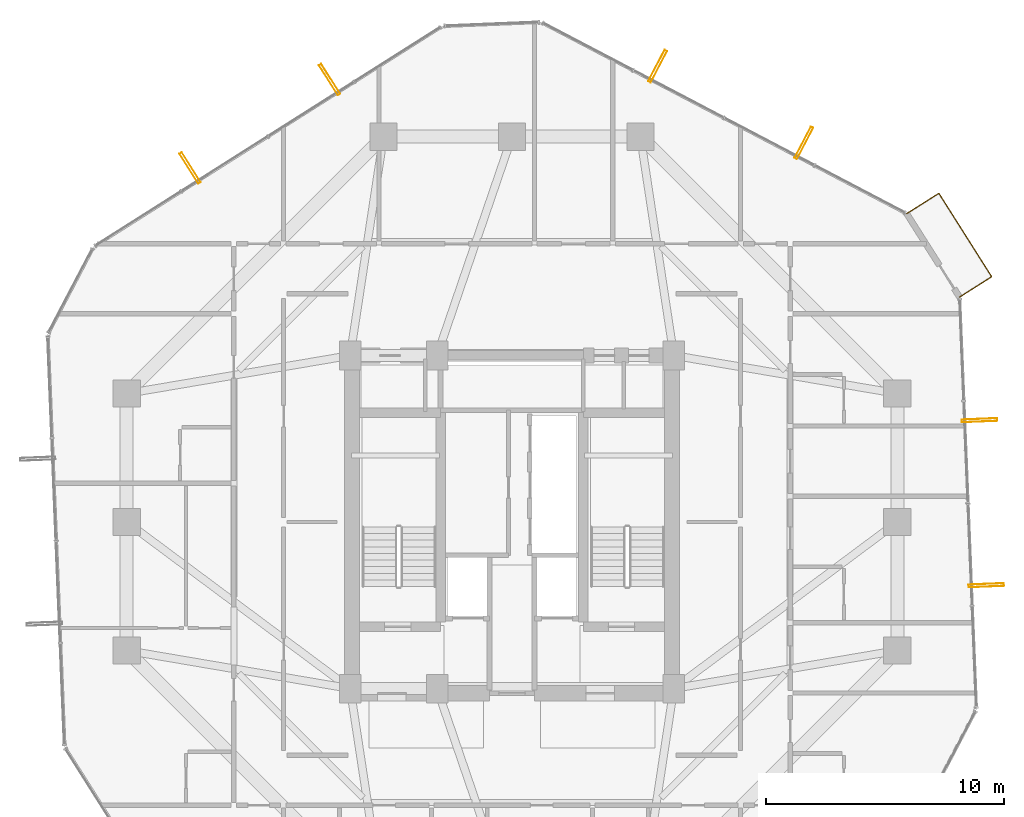
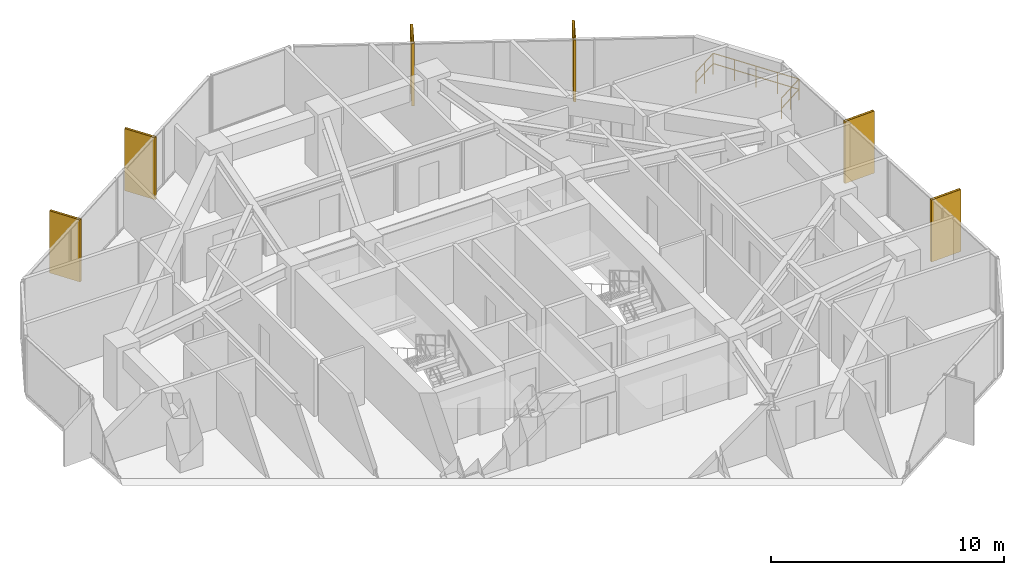
# One storey, part 32 of 32: 6 shading devices, 1 railing.
"""IFC4 building model written with IfcOpenShell, lengths in metres."""

from ifc_helpers import new_model, si_unit, direction, frame, origin, origin_2d, place, context, subcontext, project, spatial, hollow_rectangle, circle, extrude, material, material_profile, profile_set, type_object, element, save


model = new_model("IFC4")

# Units and contexts
model_context = context("Model", 3, precision=1e-05, world=origin(), true_north=direction((0.0, 1.0)))
body_context = subcontext(model_context, "Body", "Model", "MODEL_VIEW")
ifc_project = project(units=[si_unit("LENGTHUNIT", "METRE"), si_unit("AREAUNIT", "SQUARE_METRE"), si_unit("VOLUMEUNIT", "CUBIC_METRE"), si_unit("PLANEANGLEUNIT", "RADIAN"), si_unit("MASSUNIT", "GRAM", prefix="KILO")], contexts=[model_context])

# Site, building, storey
site_placement = place(None, origin())
site = spatial("IfcSite", under=ifc_project, at=site_placement, CompositionType="ELEMENT")
building_placement = place(site_placement, origin())
building = spatial("IfcBuilding", under=site, at=building_placement, Name="Veraguas Prism Commons", CompositionType="ELEMENT")
storey_placement = place(building_placement, frame((0.0, 0.0, 136.0)))
storey = spatial("IfcBuildingStorey", under=building, at=storey_placement, Name="L38", CompositionType="ELEMENT", Elevation=136.0)

# Shading devices
ifc_material_1 = material(Name="Anodised aluminium EN AW-6063 T6", Category="aluminium")
ifc_material_profile = material_profile(ifc_material_1, hollow_rectangle(XDim=0.1201171875, YDim=1.489990234375, WallThickness=0.006103515625, at=origin_2d()), Name="FIN120X1490X6")
ifc_profile_set = profile_set([ifc_material_profile], Name="Anodised aluminium EN AW-6063 T6")
shading_device_type = type_object("IfcShadingDeviceType", Name="Deep Pale-Metal Vertical Solar Fin 120x1490", PredefinedType="USERDEFINED", material=ifc_profile_set)
for number, where, z_axis, x_axis, name in (
    (1, (36.269287109375, 39.9326171875, -0.22998046875), (0.0, 0.0, 1.0), (-0.885718741153, 0.464222265268, 0.0), "Vertical Pale-Metal Solar Fin L38-F1A"),
    (2, (30.120849609375, 43.155029296875, -0.22998046875), (0.0, 0.0, 1.0), (-0.885718741153, 0.464222265268, 0.0), "Vertical Pale-Metal Solar Fin L38-F1B"),
    (3, (16.336669921875, 42.591796875, -0.22998046875), (0.0, 0.0, 1.0), (-0.844887645301, -0.534943797813, 0.0), "Vertical Pale-Metal Solar Fin L38-F2A"),
    (4, (10.4716796875, 38.87841796875, -0.22998046875), (0.0, 0.0, 1.0), (-0.844887645301, -0.534943797813, 0.0), "Vertical Pale-Metal Solar Fin L38-F2B"),
    (5, (43.9326171875, 21.3408203125, -0.22998046875), (0.0, 0.0, 1.0), (-0.040831095852, 0.99916606308, 0.0), "Vertical Pale-Metal Solar Fin L38-F6A"),
    (6, (43.6494140625, 28.276611328125, -0.22998046875), (0.0, 0.0, 1.0), (-0.040831095852, 0.99916606308, 0.0), "Vertical Pale-Metal Solar Fin L38-F6B"),
):
    element("IfcShadingDevice", number, at=place(storey_placement, frame(where, z_axis=z_axis, x_axis=x_axis)), inside=storey, type_object=shading_device_type, Name=name, ObjectType="FIN", PredefinedType="USERDEFINED", context=body_context, shape_type="SweptSolid", body=[
        extrude(hollow_rectangle(XDim=0.1201171875, YDim=1.489990234375, WallThickness=0.006103515625, at=origin_2d()), origin(), (0.0, 0.0, 1.0), 3.25),
    ])

# Railing
ifc_material_2 = material(Name="Stainless steel AISI 316", Category="steel")
railing_type = type_object("IfcRailingType", Name="Loggia and Sky Pool Glazed Balustrade 1120", PredefinedType="BALUSTRADE", material=ifc_material_2)
railing_placement = place(storey_placement, frame((42.812255859375, 33.453125, 0.0)))
element("IfcRailing", 7, at=railing_placement, inside=storey, type_object=railing_type, Name="Recessed Corner Loggia L38-C1 Guard", PredefinedType="BALUSTRADE", context=body_context, shape_type="SweptSolid", body=[
    extrude(circle(Radius=0.02392578125, at=origin_2d()), frame((0.0, 0.0, 1.09619140625), z_axis=(0.844871950366, 0.534968585512, 0.0), x_axis=(-0.534968585512, 0.844871950366, 0.0)), (0.0, 0.0, 1.0), 1.60009765625),
    extrude(circle(Radius=0.02392578125, at=origin_2d()), frame((0.0, 0.0, 0.56005859375), z_axis=(0.844871950366, 0.534968585512, 0.0), x_axis=(-0.534968585512, 0.844871950366, 0.0)), (0.0, 0.0, 1.0), 1.60009765625),
    extrude(circle(Radius=0.02392578125, at=origin_2d()), frame((1.351806640625, 0.85595703125, 1.09619140625), z_axis=(-0.53493040625, 0.84489612407, 0.0), x_axis=(-0.84489612407, -0.53493040625, 0.0)), (0.0, 0.0, 1.0), 4.1533203125),
    extrude(circle(Radius=0.02392578125, at=origin_2d()), frame((1.351806640625, 0.85595703125, 0.56005859375), z_axis=(-0.53493040625, 0.84489612407, 0.0), x_axis=(-0.84489612407, -0.53493040625, 0.0)), (0.0, 0.0, 1.0), 4.1533203125),
    extrude(circle(Radius=0.02392578125, at=origin_2d()), frame((-0.869873046875, 4.364990234375, 1.09619140625), z_axis=(-0.844871950366, -0.534968585512, 0.0), x_axis=(0.534968585512, -0.844871950366, 0.0)), (0.0, 0.0, 1.0), 1.60009765625),
    extrude(circle(Radius=0.02392578125, at=origin_2d()), frame((-0.869873046875, 4.364990234375, 0.56005859375), z_axis=(-0.844871950366, -0.534968585512, 0.0), x_axis=(0.534968585512, -0.844871950366, 0.0)), (0.0, 0.0, 1.0), 1.60009765625),
    extrude(circle(Radius=0.02099609375, at=origin_2d()), origin(), (0.0, 0.0, 1.0), 1.072021484375),
    extrude(circle(Radius=0.02099609375, at=origin_2d()), frame((0.67578125, 0.427978515625, 0.0)), (0.0, 0.0, 1.0), 1.072021484375),
    extrude(circle(Radius=0.02099609375, at=origin_2d()), frame((1.351806640625, 0.85595703125, 0.0)), (0.0, 0.0, 1.0), 1.072021484375),
    extrude(circle(Radius=0.02099609375, at=origin_2d()), frame((0.79638671875, 1.733154296875, 0.0)), (0.0, 0.0, 1.0), 1.072021484375),
    extrude(circle(Radius=0.02099609375, at=origin_2d()), frame((0.240966796875, 2.6103515625, 0.0)), (0.0, 0.0, 1.0), 1.072021484375),
    extrude(circle(Radius=0.02099609375, at=origin_2d()), frame((-0.314453125, 3.48779296875, 0.0)), (0.0, 0.0, 1.0), 1.072021484375),
    extrude(circle(Radius=0.02099609375, at=origin_2d()), frame((-0.869873046875, 4.364990234375, 0.0)), (0.0, 0.0, 1.0), 1.072021484375),
    extrude(circle(Radius=0.02099609375, at=origin_2d()), frame((-1.5458984375, 3.93701171875, 0.0)), (0.0, 0.0, 1.0), 1.072021484375),
    extrude(circle(Radius=0.02099609375, at=origin_2d()), frame((-2.2216796875, 3.509033203125, 0.0)), (0.0, 0.0, 1.0), 1.072021484375),
])

save(model, "model.ifc")
